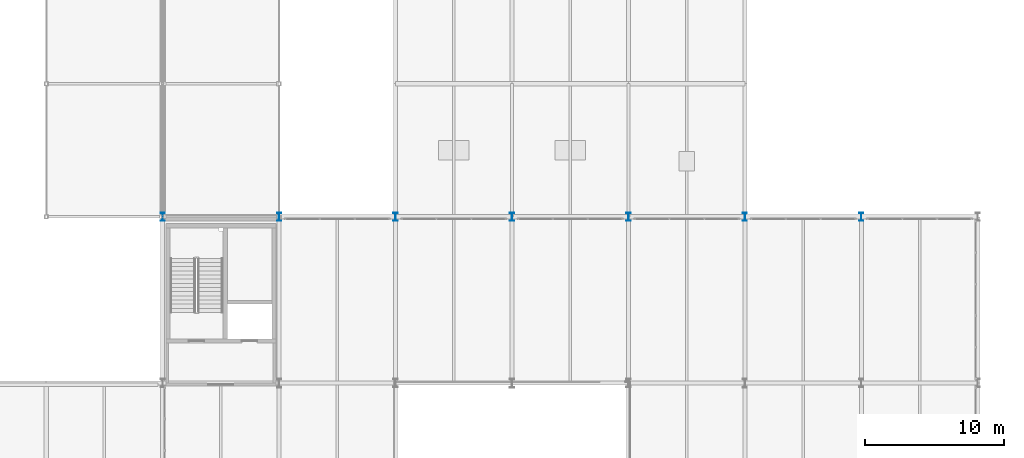
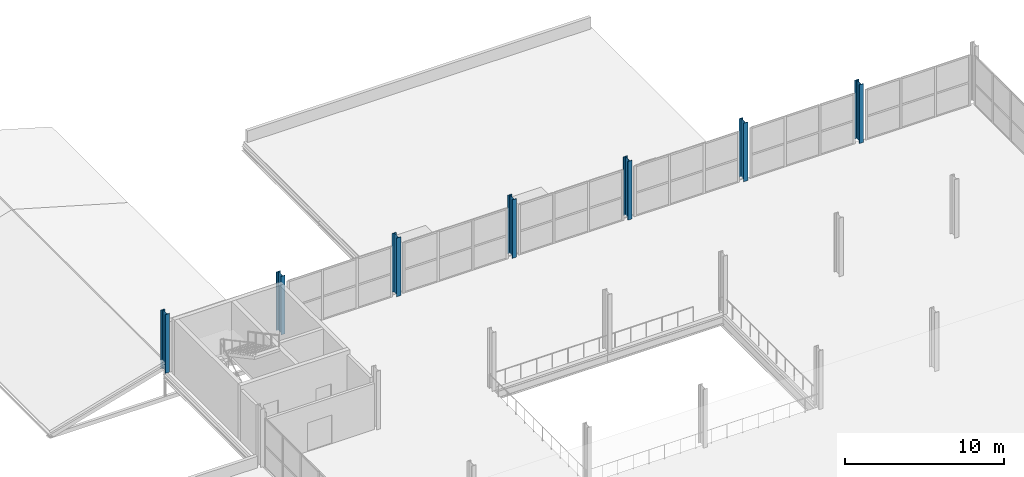
# One storey, part 7 of 130: 7 columns.
"""IFC4 building model written with IfcOpenShell, lengths in metres."""

import ifcopenshell
import ifcopenshell.guid

model = None  # the IFC model being written
_history = None  # IfcOwnerHistory: only IFC2X3 demands one
_inside = {}  # id of a spatial element -> (the spatial element, [elements in it])
_under = {}  # id of a project, library or spatial element -> (it, [spatial elements below it])
_declared = {}  # id of a project -> (the project, [libraries it declares])
_typed = {}  # id of a type object -> (the type object, [elements of that type])
_made_of = {}  # id of a material, layer set ... -> (it, [elements and type objects made of it])


def new_model(schema):
    """Start an empty IFC model of exactly this schema.

    Asked for "IFC4X3", IfcOpenShell would pick the latest addendum, in which some entities
    have other attributes; the version numbers below select the first issue.
    IFC2X3 requires an IfcOwnerHistory on every rooted entity: one is made here for all.
    """
    global model, _history
    if schema == "IFC4X3":
        model = ifcopenshell.file(schema_version=(4, 3, 0, 0))
    else:
        model = ifcopenshell.file(schema=schema)
    _inside.clear()
    _under.clear()
    _declared.clear()
    _typed.clear()
    _made_of.clear()
    _history = None
    if model.schema == "IFC2X3":
        org = make("IfcOrganization", Name="unknown")
        user = make(
            "IfcPersonAndOrganization",
            ThePerson=make("IfcPerson", FamilyName="unknown"),
            TheOrganization=org,
        )
        app = make(
            "IfcApplication",
            ApplicationDeveloper=org,
            Version="unknown",
            ApplicationFullName="unknown",
            ApplicationIdentifier="unknown",
        )
        _history = make(
            "IfcOwnerHistory",
            OwningUser=user,
            OwningApplication=app,
            ChangeAction="ADDED",
            CreationDate=0,
        )
    return model


def make(cls, **values):
    """One entity of the class cls with the attributes given. An attribute that is None is left unset."""
    return model.create_entity(
        cls, **{name: value for name, value in values.items() if value is not None}
    )


def rooted(cls, **values):
    """An entity with a GlobalId (a new one), such as an element, a storey or a relation."""
    return make(cls, GlobalId=ifcopenshell.guid.new(), OwnerHistory=_history, **values)


def si_unit(unit_type, name, prefix=None):
    """IfcSIUnit, for example si_unit("LENGTHUNIT", "METRE", prefix="MILLI")."""
    return make("IfcSIUnit", UnitType=unit_type, Prefix=prefix, Name=name)


def assignment(units):
    """IfcUnitAssignment: the units of a project."""
    return None if units is None else make("IfcUnitAssignment", Units=units)


def point(xyz):
    """IfcCartesianPoint."""
    return None if xyz is None else make("IfcCartesianPoint", Coordinates=xyz)


def direction(xyz):
    """IfcDirection."""
    return None if xyz is None else make("IfcDirection", DirectionRatios=xyz)


def frame(location, z_axis=None, x_axis=None):
    """IfcAxis2Placement3D, a coordinate frame: its origin and axes. An axis left out is left unset."""
    return make(
        "IfcAxis2Placement3D",
        Location=point(location),
        Axis=direction(z_axis),
        RefDirection=direction(x_axis),
    )


def frame_2d(location, x_axis=None):
    """IfcAxis2Placement2D, a coordinate frame in the plane: its origin and x axis."""
    return make(
        "IfcAxis2Placement2D", Location=point(location), RefDirection=direction(x_axis)
    )


def origin():
    """The frame at (0, 0, 0) with its axes left unset."""
    return frame((0.0, 0.0, 0.0))


def origin_2d():
    """The frame at (0, 0) in the plane with its x axis left unset."""
    return frame_2d((0.0, 0.0))


def place(relative_to, where):
    """IfcLocalPlacement: puts the frame where relative to a parent placement (None: the world)."""
    return make(
        "IfcLocalPlacement", PlacementRelTo=relative_to, RelativePlacement=where
    )


def context(
    kind, dimensions, precision=None, world=None, true_north=None, identifier=None
):
    """IfcGeometricRepresentationContext, for example the 3D "Model" context."""
    return make(
        "IfcGeometricRepresentationContext",
        ContextIdentifier=identifier,
        ContextType=kind,
        CoordinateSpaceDimension=dimensions,
        Precision=precision,
        WorldCoordinateSystem=world,
        TrueNorth=true_north,
    )


def subcontext(parent, identifier, kind, view, scale=None):
    """IfcGeometricRepresentationSubContext, for example "Body" below "Model"."""
    return make(
        "IfcGeometricRepresentationSubContext",
        ContextIdentifier=identifier,
        ContextType=kind,
        ParentContext=parent,
        TargetScale=scale,
        TargetView=view,
    )


def project(units=None, contexts=None):
    """IfcProject with its units and contexts."""
    return rooted(
        "IfcProject",
        Name="project",
        RepresentationContexts=contexts,
        UnitsInContext=assignment(units),
    )


def spatial(cls, under=None, at=None, **own):
    """A site, building, storey or space (cls), placed at a placement, below another one or the project."""
    s = rooted(cls, ObjectPlacement=at, **own)
    if under is not None:
        _under.setdefault(under.id(), (under, []))[1].append(s)
    return s


def profile(cls, at=None, kind="AREA", **sizes):
    """A parametric profile (cls). Its sizes go by their IFC names, for example OverallWidth=200.0."""
    return make(cls, ProfileType=kind, Position=at, **sizes)


def i_section(**sizes):
    """IfcIShapeProfileDef."""
    return profile("IfcIShapeProfileDef", **sizes)


def extrude(swept, where, along, depth):
    """IfcExtrudedAreaSolid: the profile swept, set in the frame where, extruded along a direction by depth."""
    return make(
        "IfcExtrudedAreaSolid",
        SweptArea=swept,
        Position=where,
        ExtrudedDirection=direction(along),
        Depth=depth,
    )


def shape(context_of_items, identifier, shape_type, items):
    """IfcShapeRepresentation: the items that make up one representation, for example the "Body"."""
    return make(
        "IfcShapeRepresentation",
        ContextOfItems=context_of_items,
        RepresentationIdentifier=identifier,
        RepresentationType=shape_type,
        Items=items,
    )


def material(Name=None, Category=None):
    """IfcMaterial."""
    return make("IfcMaterial", Name=Name, Category=Category)


def material_profile(
    of_material, cross_section, Name=None, Category=None, Priority=None
):
    """IfcMaterialProfile: a cross section and its material."""
    return make(
        "IfcMaterialProfile",
        Name=Name,
        Material=of_material,
        Profile=cross_section,
        Priority=Priority,
        Category=Category,
    )


def profile_set(profiles, Name=None, composite=None):
    """IfcMaterialProfileSet."""
    return make(
        "IfcMaterialProfileSet",
        Name=Name,
        MaterialProfiles=profiles,
        CompositeProfile=composite,
    )


def made_of(thing, what):
    """Note that an element or type object is made of a material, layer set ...; save() writes the relation."""
    if what is not None:
        _made_of.setdefault(what.id(), (what, []))[1].append(thing)
    return thing


def type_object(cls, material=None, **own):
    """A type object (cls), such as IfcWallType, which elements share."""
    return made_of(rooted(cls, **own), material)


def element(
    cls,
    number,
    at=None,
    inside=None,
    cuts=None,
    type_object=None,
    material=None,
    context=None,
    identifier="Body",
    shape_type=None,
    held_by="IfcProductDefinitionShape",
    body=None,
    shapes=None,
    **own,
):
    """One element of the class cls, such as IfcWall. Its Tag is "e" and its number.

    at: its placement. inside: the storey or other place that contains it. cuts: it is an
    opening in that element (IfcRelVoidsElement). A single representation is given by context,
    identifier, shape_type and body (its items); several are given by shapes. held_by: the class
    of the entity that holds the representations. save() writes the other relations.
    """
    e = rooted(cls, Tag="e%d" % number, ObjectPlacement=at, **own)
    if body is not None:
        shapes = [shape(context, identifier, shape_type, body)]
    if shapes is not None:
        e.Representation = make(held_by, Representations=shapes)
    if inside is not None:
        _inside.setdefault(inside.id(), (inside, []))[1].append(e)
    if cuts is not None:
        rooted(
            "IfcRelVoidsElement", RelatingBuildingElement=cuts, RelatedOpeningElement=e
        )
    if type_object is not None:
        _typed.setdefault(type_object.id(), (type_object, []))[1].append(e)
    return made_of(e, material)


def aggregate(whole, parts):
    """IfcRelAggregates: a whole, such as a stair, and the parts it consists of."""
    return rooted("IfcRelAggregates", RelatingObject=whole, RelatedObjects=parts)


def save(model, path):
    """Write the relations noted so far, then the file.

    IfcRelAggregates (storeys below a building ...), IfcRelContainedInSpatialStructure (elements
    in a storey), IfcRelDefinesByType, IfcRelAssociatesMaterial and IfcRelDeclares: one each for
    every whole, place, type object, material and project.
    """
    for whole, parts in _under.values():
        aggregate(whole, parts)
    for where, things in _inside.values():
        rooted(
            "IfcRelContainedInSpatialStructure",
            RelatedElements=things,
            RelatingStructure=where,
        )
    for kind, things in _typed.values():
        rooted("IfcRelDefinesByType", RelatedObjects=things, RelatingType=kind)
    for what, things in _made_of.values():
        rooted("IfcRelAssociatesMaterial", RelatedObjects=things, RelatingMaterial=what)
    for by, libraries in _declared.values():
        rooted("IfcRelDeclares", RelatingContext=by, RelatedDefinitions=libraries)
    model.write(path)


model = new_model("IFC4")

# Units and contexts
model_context = context("Model", 3, precision=1e-05, world=origin(), true_north=direction((0.0, 1.0)))
body_context = subcontext(model_context, "Body", "Model", "MODEL_VIEW")
ifc_project = project(units=[si_unit("LENGTHUNIT", "METRE"), si_unit("AREAUNIT", "SQUARE_METRE"), si_unit("VOLUMEUNIT", "CUBIC_METRE"), si_unit("PLANEANGLEUNIT", "RADIAN"), si_unit("MASSUNIT", "GRAM", prefix="KILO")], contexts=[model_context])

# Site, building, storey
site_placement = place(None, origin())
site = spatial("IfcSite", under=ifc_project, at=site_placement, CompositionType="ELEMENT")
building_placement = place(site_placement, origin())
building = spatial("IfcBuilding", under=site, at=building_placement, Name="Veltarok Museum of Natural Sciences", CompositionType="ELEMENT")
storey_placement = place(building_placement, frame((0.0, 0.0, 12.89990234375)))
storey = spatial("IfcBuildingStorey", under=building, at=storey_placement, Name="L02", CompositionType="ELEMENT", Elevation=12.89990234375)

# Columns
ifc_material = material(Name="Steel S355J2", Category="steel")
ifc_material_profile = material_profile(ifc_material, i_section(OverallWidth=0.300048828125, OverallDepth=0.60009765625, WebThickness=0.015380859375, FlangeThickness=0.030029296875, FilletRadius=0.027099609375, at=origin_2d()), Name="HEB 600")
ifc_profile_set = profile_set([ifc_material_profile], Name="Steel S355J2")
column_type = type_object("IfcColumnType", Name="Perimeter Passage Column HEB 600", PredefinedType="COLUMN", material=ifc_profile_set)
for number, where, z_axis, x_axis, name in (
    (1, (40.0, 72.0, 0.0), (0.0, 0.0, 1.0), (1.0, 0.0, 0.0), "Column COL-EXT02 L02 5/H"),
    (2, (48.39990234375, 72.0, 0.0), (0.0, 0.0, 1.0), (1.0, 0.0, 0.0), "Column COL-EXT02 L02 6/H"),
    (3, (56.800048828125, 72.0, 0.0), (0.0, 0.0, 1.0), (1.0, 0.0, 0.0), "Column COL-EXT02 L02 7/H"),
    (4, (65.199951171875, 72.0, 0.0), (0.0, 0.0, 1.0), (1.0, 0.0, 0.0), "Column COL-EXT02 L02 8/H"),
    (5, (73.60009765625, 72.0, 0.0), (0.0, 0.0, 1.0), (1.0, 0.0, 0.0), "Column COL-EXT02 L02 9/H"),
    (6, (82.0, 72.0, 0.0), (0.0, 0.0, 1.0), (1.0, 0.0, 0.0), "Column COL-EXT02 L02 10/H"),
    (7, (90.39990234375, 72.0, 0.0), (0.0, 0.0, 1.0), (1.0, 0.0, 0.0), "Column COL-EXT02 L02 11/H"),
):
    element("IfcColumn", number, at=place(storey_placement, frame(where, z_axis=z_axis, x_axis=x_axis)), inside=storey, type_object=column_type, Name=name, PredefinedType="COLUMN", context=body_context, shape_type="SweptSolid", body=[
        extrude(i_section(OverallWidth=0.300048828125, OverallDepth=0.60009765625, WebThickness=0.015380859375, FlangeThickness=0.030029296875, FilletRadius=0.027099609375, at=origin_2d()), origin(), (0.0, 0.0, 1.0), 4.5),
    ])

save(model, "model.ifc")
